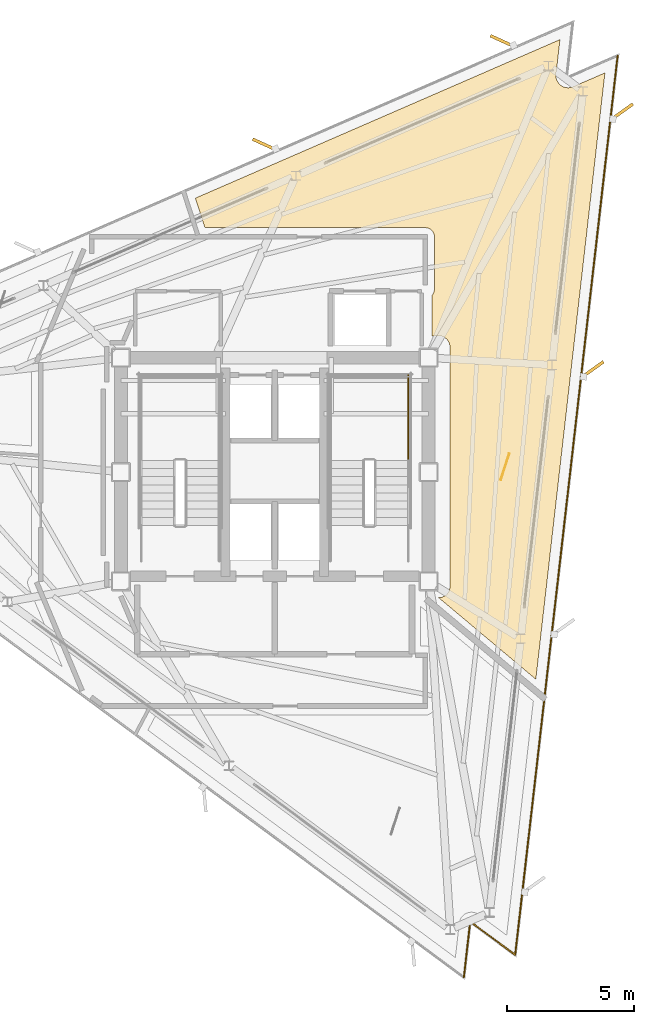
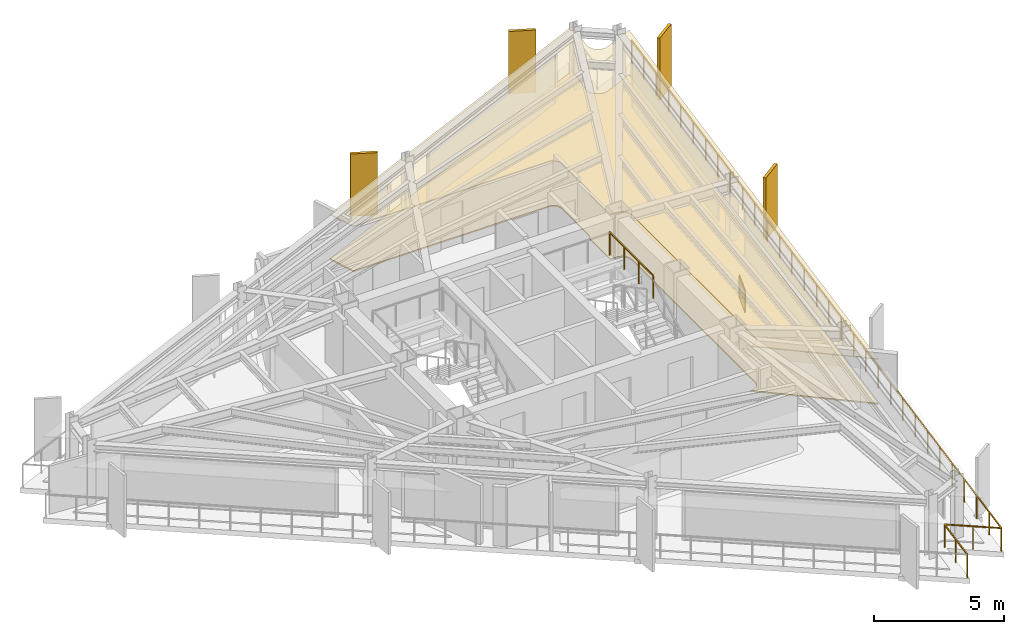
# One storey, part 9 of 9: 4 shading devices, 3 coverings, 2 railings.
"""IFC4 building model written with IfcOpenShell, lengths in metres."""

import ifcopenshell
import ifcopenshell.guid

model = None  # the IFC model being written
_history = None  # IfcOwnerHistory: only IFC2X3 demands one
_inside = {}  # id of a spatial element -> (the spatial element, [elements in it])
_under = {}  # id of a project, library or spatial element -> (it, [spatial elements below it])
_declared = {}  # id of a project -> (the project, [libraries it declares])
_typed = {}  # id of a type object -> (the type object, [elements of that type])
_made_of = {}  # id of a material, layer set ... -> (it, [elements and type objects made of it])


def new_model(schema):
    """Start an empty IFC model of exactly this schema.

    Asked for "IFC4X3", IfcOpenShell would pick the latest addendum, in which some entities
    have other attributes; the version numbers below select the first issue.
    IFC2X3 requires an IfcOwnerHistory on every rooted entity: one is made here for all.
    """
    global model, _history
    if schema == "IFC4X3":
        model = ifcopenshell.file(schema_version=(4, 3, 0, 0))
    else:
        model = ifcopenshell.file(schema=schema)
    _inside.clear()
    _under.clear()
    _declared.clear()
    _typed.clear()
    _made_of.clear()
    _history = None
    if model.schema == "IFC2X3":
        org = make("IfcOrganization", Name="unknown")
        user = make(
            "IfcPersonAndOrganization",
            ThePerson=make("IfcPerson", FamilyName="unknown"),
            TheOrganization=org,
        )
        app = make(
            "IfcApplication",
            ApplicationDeveloper=org,
            Version="unknown",
            ApplicationFullName="unknown",
            ApplicationIdentifier="unknown",
        )
        _history = make(
            "IfcOwnerHistory",
            OwningUser=user,
            OwningApplication=app,
            ChangeAction="ADDED",
            CreationDate=0,
        )
    return model


def make(cls, **values):
    """One entity of the class cls with the attributes given. An attribute that is None is left unset."""
    return model.create_entity(
        cls, **{name: value for name, value in values.items() if value is not None}
    )


def rooted(cls, **values):
    """An entity with a GlobalId (a new one), such as an element, a storey or a relation."""
    return make(cls, GlobalId=ifcopenshell.guid.new(), OwnerHistory=_history, **values)


def si_unit(unit_type, name, prefix=None):
    """IfcSIUnit, for example si_unit("LENGTHUNIT", "METRE", prefix="MILLI")."""
    return make("IfcSIUnit", UnitType=unit_type, Prefix=prefix, Name=name)


def assignment(units):
    """IfcUnitAssignment: the units of a project."""
    return None if units is None else make("IfcUnitAssignment", Units=units)


def point(xyz):
    """IfcCartesianPoint."""
    return None if xyz is None else make("IfcCartesianPoint", Coordinates=xyz)


def direction(xyz):
    """IfcDirection."""
    return None if xyz is None else make("IfcDirection", DirectionRatios=xyz)


def frame(location, z_axis=None, x_axis=None):
    """IfcAxis2Placement3D, a coordinate frame: its origin and axes. An axis left out is left unset."""
    return make(
        "IfcAxis2Placement3D",
        Location=point(location),
        Axis=direction(z_axis),
        RefDirection=direction(x_axis),
    )


def frame_2d(location, x_axis=None):
    """IfcAxis2Placement2D, a coordinate frame in the plane: its origin and x axis."""
    return make(
        "IfcAxis2Placement2D", Location=point(location), RefDirection=direction(x_axis)
    )


def origin():
    """The frame at (0, 0, 0) with its axes left unset."""
    return frame((0.0, 0.0, 0.0))


def origin_2d():
    """The frame at (0, 0) in the plane with its x axis left unset."""
    return frame_2d((0.0, 0.0))


def place(relative_to, where):
    """IfcLocalPlacement: puts the frame where relative to a parent placement (None: the world)."""
    return make(
        "IfcLocalPlacement", PlacementRelTo=relative_to, RelativePlacement=where
    )


def context(
    kind, dimensions, precision=None, world=None, true_north=None, identifier=None
):
    """IfcGeometricRepresentationContext, for example the 3D "Model" context."""
    return make(
        "IfcGeometricRepresentationContext",
        ContextIdentifier=identifier,
        ContextType=kind,
        CoordinateSpaceDimension=dimensions,
        Precision=precision,
        WorldCoordinateSystem=world,
        TrueNorth=true_north,
    )


def subcontext(parent, identifier, kind, view, scale=None):
    """IfcGeometricRepresentationSubContext, for example "Body" below "Model"."""
    return make(
        "IfcGeometricRepresentationSubContext",
        ContextIdentifier=identifier,
        ContextType=kind,
        ParentContext=parent,
        TargetScale=scale,
        TargetView=view,
    )


def project(units=None, contexts=None):
    """IfcProject with its units and contexts."""
    return rooted(
        "IfcProject",
        Name="project",
        RepresentationContexts=contexts,
        UnitsInContext=assignment(units),
    )


def spatial(cls, under=None, at=None, **own):
    """A site, building, storey or space (cls), placed at a placement, below another one or the project."""
    s = rooted(cls, ObjectPlacement=at, **own)
    if under is not None:
        _under.setdefault(under.id(), (under, []))[1].append(s)
    return s


def polyline(points):
    """IfcPolyline through the points."""
    return make("IfcPolyline", Points=[point(p) for p in points])


def profile(cls, at=None, kind="AREA", **sizes):
    """A parametric profile (cls). Its sizes go by their IFC names, for example OverallWidth=200.0."""
    return make(cls, ProfileType=kind, Position=at, **sizes)


def rectangle(**sizes):
    """IfcRectangleProfileDef."""
    return profile("IfcRectangleProfileDef", **sizes)


def outline(outer, holes=None, kind="AREA"):
    """IfcArbitraryClosedProfileDef: a profile drawn as a closed curve; with holes, ...WithVoids."""
    if holes is None:
        return make("IfcArbitraryClosedProfileDef", ProfileType=kind, OuterCurve=outer)
    return make(
        "IfcArbitraryProfileDefWithVoids",
        ProfileType=kind,
        OuterCurve=outer,
        InnerCurves=holes,
    )


def extrude(swept, where, along, depth):
    """IfcExtrudedAreaSolid: the profile swept, set in the frame where, extruded along a direction by depth."""
    return make(
        "IfcExtrudedAreaSolid",
        SweptArea=swept,
        Position=where,
        ExtrudedDirection=direction(along),
        Depth=depth,
    )


def shape(context_of_items, identifier, shape_type, items):
    """IfcShapeRepresentation: the items that make up one representation, for example the "Body"."""
    return make(
        "IfcShapeRepresentation",
        ContextOfItems=context_of_items,
        RepresentationIdentifier=identifier,
        RepresentationType=shape_type,
        Items=items,
    )


def material(Name=None, Category=None):
    """IfcMaterial."""
    return make("IfcMaterial", Name=Name, Category=Category)


def layer(
    of_material, thickness, ventilated=None, Name=None, Category=None, Priority=None
):
    """IfcMaterialLayer: one layer of a wall or slab, of a material (None: an air gap)."""
    return make(
        "IfcMaterialLayer",
        Material=of_material,
        LayerThickness=thickness,
        IsVentilated=ventilated,
        Name=Name,
        Category=Category,
        Priority=Priority,
    )


def layer_set(layers, Name=None):
    """IfcMaterialLayerSet."""
    return make("IfcMaterialLayerSet", MaterialLayers=layers, LayerSetName=Name)


def made_of(thing, what):
    """Note that an element or type object is made of a material, layer set ...; save() writes the relation."""
    if what is not None:
        _made_of.setdefault(what.id(), (what, []))[1].append(thing)
    return thing


def type_object(cls, material=None, **own):
    """A type object (cls), such as IfcWallType, which elements share."""
    return made_of(rooted(cls, **own), material)


def element(
    cls,
    number,
    at=None,
    inside=None,
    cuts=None,
    type_object=None,
    material=None,
    context=None,
    identifier="Body",
    shape_type=None,
    held_by="IfcProductDefinitionShape",
    body=None,
    shapes=None,
    **own,
):
    """One element of the class cls, such as IfcWall. Its Tag is "e" and its number.

    at: its placement. inside: the storey or other place that contains it. cuts: it is an
    opening in that element (IfcRelVoidsElement). A single representation is given by context,
    identifier, shape_type and body (its items); several are given by shapes. held_by: the class
    of the entity that holds the representations. save() writes the other relations.
    """
    e = rooted(cls, Tag="e%d" % number, ObjectPlacement=at, **own)
    if body is not None:
        shapes = [shape(context, identifier, shape_type, body)]
    if shapes is not None:
        e.Representation = make(held_by, Representations=shapes)
    if inside is not None:
        _inside.setdefault(inside.id(), (inside, []))[1].append(e)
    if cuts is not None:
        rooted(
            "IfcRelVoidsElement", RelatingBuildingElement=cuts, RelatedOpeningElement=e
        )
    if type_object is not None:
        _typed.setdefault(type_object.id(), (type_object, []))[1].append(e)
    return made_of(e, material)


def aggregate(whole, parts):
    """IfcRelAggregates: a whole, such as a stair, and the parts it consists of."""
    return rooted("IfcRelAggregates", RelatingObject=whole, RelatedObjects=parts)


def save(model, path):
    """Write the relations noted so far, then the file.

    IfcRelAggregates (storeys below a building ...), IfcRelContainedInSpatialStructure (elements
    in a storey), IfcRelDefinesByType, IfcRelAssociatesMaterial and IfcRelDeclares: one each for
    every whole, place, type object, material and project.
    """
    for whole, parts in _under.values():
        aggregate(whole, parts)
    for where, things in _inside.values():
        rooted(
            "IfcRelContainedInSpatialStructure",
            RelatedElements=things,
            RelatingStructure=where,
        )
    for kind, things in _typed.values():
        rooted("IfcRelDefinesByType", RelatedObjects=things, RelatingType=kind)
    for what, things in _made_of.values():
        rooted("IfcRelAssociatesMaterial", RelatedObjects=things, RelatingMaterial=what)
    for by, libraries in _declared.values():
        rooted("IfcRelDeclares", RelatingContext=by, RelatedDefinitions=libraries)
    model.write(path)


model = new_model("IFC4")

# Units and contexts
model_context = context("Model", 3, precision=1e-05, world=origin(), true_north=direction((0.0, 1.0)))
body_context = subcontext(model_context, "Body", "Model", "MODEL_VIEW")
ifc_project = project(units=[si_unit("LENGTHUNIT", "METRE"), si_unit("AREAUNIT", "SQUARE_METRE"), si_unit("VOLUMEUNIT", "CUBIC_METRE"), si_unit("PLANEANGLEUNIT", "RADIAN"), si_unit("MASSUNIT", "GRAM", prefix="KILO")], contexts=[model_context])

# Site, building, storey
site_placement = place(None, origin())
site = spatial("IfcSite", under=ifc_project, at=site_placement, CompositionType="ELEMENT")
building_placement = place(site_placement, origin())
building = spatial("IfcBuilding", under=site, at=building_placement, Name="Rocaltana Carrier Exchange", CompositionType="ELEMENT")
storey_placement = place(building_placement, frame((0.0, 0.0, 233.1201171875)))
storey = spatial("IfcBuildingStorey", under=building, at=storey_placement, Name="L74", CompositionType="ELEMENT", Elevation=233.1201171875)

# Coverings
ifc_material_1 = material(Name="Calcium Sulphate & Aluminium Pedestal", Category="aluminium")
ifc_layer_1 = layer(ifc_material_1, 0.06005859375)
ifc_layer_set_1 = layer_set([ifc_layer_1], Name="Calcium Sulphate & Aluminium Pedestal")
covering_type_1 = type_object("IfcCoveringType", Name="Anti-Static Raised Exchange Access Floor 60", PredefinedType="FLOORING", material=ifc_layer_set_1)
covering_1_placement = place(storey_placement, origin())
element("IfcCovering", 1, at=covering_1_placement, inside=storey, type_object=covering_type_1, Name="L74 Cloud Architecture Office Finish Floor", PredefinedType="FLOORING", context=body_context, shape_type="SweptSolid", body=[
    extrude(outline(polyline([(6.18994140625, 6.962158203125), (6.206787109375, 6.982421875), (6.21142578125, 6.98876953125), (6.226806640625, 7.01171875), (6.230712890625, 7.018310546875), (6.24365234375, 7.04248046875), (6.2470703125, 7.0498046875), (6.257568359375, 7.0751953125), (6.26025390625, 7.08251953125), (6.268310546875, 7.108642578125), (6.27001953125, 7.116455078125), (6.275390625, 7.143310546875), (6.276611328125, 7.151123046875), (6.279296875, 7.178466796875), (6.27978515625, 7.186279296875), (6.280029296875, 7.199951171875), (6.280029296875, 9.25), (6.27978515625, 9.263671875), (6.279296875, 9.271484375), (6.276611328125, 9.298828125), (6.275390625, 9.306640625), (6.27001953125, 9.33349609375), (6.268310546875, 9.34130859375), (6.26025390625, 9.36767578125), (6.257568359375, 9.375), (6.2470703125, 9.400390625), (6.24365234375, 9.407470703125), (6.230712890625, 9.431640625), (6.226806640625, 9.4384765625), (6.21142578125, 9.461181640625), (6.206787109375, 9.467529296875), (6.189208984375, 9.48876953125), (6.18408203125, 9.49462890625), (6.16455078125, 9.513916015625), (6.15869140625, 9.519287109375), (6.137451171875, 9.53662109375), (6.131103515625, 9.54150390625), (6.1083984375, 9.556640625), (6.101806640625, 9.560791015625), (6.077392578125, 9.57373046875), (6.0703125, 9.576904296875), (6.044921875, 9.58740234375), (6.03759765625, 9.590087890625), (6.01123046875, 9.59814453125), (6.003662109375, 9.60009765625), (5.976806640625, 9.60546875), (5.968994140625, 9.606689453125), (5.941650390625, 9.609375), (5.93359375, 9.609619140625), (5.919921875, 9.610107421875), (-2.743896484375, 9.610107421875), (-3.1220703125, 10.7734375), (11.217041015625, 17.00830078125), (11.06201171875, 15.648193359375), (11.060791015625, 15.634521484375), (11.0595703125, 15.614501953125), (11.05908203125, 15.586669921875), (11.059814453125, 15.566650390625), (11.062255859375, 15.538818359375), (11.06494140625, 15.51904296875), (11.070068359375, 15.49169921875), (11.07470703125, 15.472412109375), (11.08251953125, 15.445556640625), (11.089111328125, 15.4267578125), (11.099609375, 15.40087890625), (11.10791015625, 15.3828125), (11.12109375, 15.358154296875), (11.131103515625, 15.3408203125), (11.146484375, 15.317626953125), (11.158447265625, 15.301513671875), (11.176025390625, 15.27978515625), (11.189453125, 15.26513671875), (11.209228515625, 15.245361328125), (11.223876953125, 15.23193359375), (11.24560546875, 15.21435546875), (11.261474609375, 15.202392578125), (11.284912109375, 15.18701171875), (11.302001953125, 15.1767578125), (11.32666015625, 15.163818359375), (11.344482421875, 15.1552734375), (11.37060546875, 15.144775390625), (11.389404296875, 15.13818359375), (11.416015625, 15.130126953125), (11.435302734375, 15.12548828125), (11.462890625, 15.1201171875), (11.482666015625, 15.117431640625), (11.510498046875, 15.114990234375), (11.5302734375, 15.1142578125), (11.55810546875, 15.114501953125), (11.578125, 15.11572265625), (11.60595703125, 15.118896484375), (11.62548828125, 15.1220703125), (11.65283203125, 15.1279296875), (11.672119140625, 15.133056640625), (11.69873046875, 15.1416015625), (11.71728515625, 15.148681640625), (11.730224609375, 15.15380859375), (12.985595703125, 15.699462890625), (10.2685546875, -8.146484375), (6.447265625, -4.93994140625), (6.449951171875, -4.93994140625), (6.463623046875, -4.939697265625), (6.4794921875, -4.93896484375), (6.5068359375, -4.936279296875), (6.522216796875, -4.933837890625), (6.54931640625, -4.928466796875), (6.564453125, -4.9248046875), (6.5908203125, -4.916748046875), (6.605712890625, -4.91162109375), (6.630859375, -4.90087890625), (6.64501953125, -4.894287109375), (6.66943359375, -4.88134765625), (6.682861328125, -4.873291015625), (6.705810546875, -4.85791015625), (6.71826171875, -4.8486328125), (6.739501953125, -4.8310546875), (6.751220703125, -4.820556640625), (6.7705078125, -4.80126953125), (6.781005859375, -4.78955078125), (6.798583984375, -4.768310546875), (6.807861328125, -4.755615234375), (6.8232421875, -4.73291015625), (6.831298828125, -4.719482421875), (6.84423828125, -4.695068359375), (6.850830078125, -4.680908203125), (6.861572265625, -4.655517578125), (6.86669921875, -4.640869140625), (6.874755859375, -4.614501953125), (6.87841796875, -4.59912109375), (6.8837890625, -4.572265625), (6.88623046875, -4.556884765625), (6.888916015625, -4.529296875), (6.8896484375, -4.513671875), (6.889892578125, -4.5), (6.889892578125, 4.919921875), (6.8896484375, 4.93359375), (6.888916015625, 4.949462890625), (6.88623046875, 4.976806640625), (6.8837890625, 4.9921875), (6.87841796875, 5.019287109375), (6.874755859375, 5.034423828125), (6.86669921875, 5.060791015625), (6.861572265625, 5.07568359375), (6.850830078125, 5.100830078125), (6.84423828125, 5.114990234375), (6.831298828125, 5.139404296875), (6.8232421875, 5.15283203125), (6.807861328125, 5.17578125), (6.798583984375, 5.188232421875), (6.781005859375, 5.20947265625), (6.7705078125, 5.22119140625), (6.751220703125, 5.240478515625), (6.739501953125, 5.251220703125), (6.71826171875, 5.2685546875), (6.705810546875, 5.27783203125), (6.682861328125, 5.293212890625), (6.66943359375, 5.30126953125), (6.64501953125, 5.314208984375), (6.630859375, 5.32080078125), (6.605712890625, 5.33154296875), (6.5908203125, 5.336669921875), (6.564453125, 5.3447265625), (6.54931640625, 5.348388671875), (6.522216796875, 5.35400390625), (6.5068359375, 5.356201171875), (6.4794921875, 5.35888671875), (6.463623046875, 5.359619140625), (6.449951171875, 5.360107421875), (6.18994140625, 5.360107421875), (6.18994140625, 6.962158203125)])), origin(), (0.0, 0.0, 1.0), 0.059814453125),
])
ifc_material_2 = material(Name="Mineral Fibre & Powder-Coated Aluminium", Category="aluminium")
ifc_layer_2 = layer(ifc_material_2, 0.044921875)
ifc_layer_set_2 = layer_set([ifc_layer_2], Name="Mineral Fibre & Powder-Coated Aluminium")
covering_type_2 = type_object("IfcCoveringType", Name="Micro-Perforated Acoustic Ceiling 45", PredefinedType="CEILING", material=ifc_layer_set_2)
covering_2_placement = place(storey_placement, frame((0.0, 0.0, 2.102783203125)))
element("IfcCovering", 2, at=covering_2_placement, inside=storey, type_object=covering_type_2, Name="L74 Cloud Architecture Office Acoustic Ceiling", PredefinedType="CEILING", context=body_context, shape_type="SweptSolid", body=[
    extrude(outline(polyline([(6.18994140625, 6.962158203125), (6.206787109375, 6.982421875), (6.21142578125, 6.98876953125), (6.226806640625, 7.01171875), (6.230712890625, 7.018310546875), (6.24365234375, 7.04248046875), (6.2470703125, 7.0498046875), (6.257568359375, 7.0751953125), (6.26025390625, 7.08251953125), (6.268310546875, 7.108642578125), (6.27001953125, 7.116455078125), (6.275390625, 7.143310546875), (6.276611328125, 7.151123046875), (6.279296875, 7.178466796875), (6.27978515625, 7.186279296875), (6.280029296875, 7.199951171875), (6.280029296875, 9.25), (6.27978515625, 9.263671875), (6.279296875, 9.271484375), (6.276611328125, 9.298828125), (6.275390625, 9.306640625), (6.27001953125, 9.33349609375), (6.268310546875, 9.34130859375), (6.26025390625, 9.36767578125), (6.257568359375, 9.375), (6.2470703125, 9.400390625), (6.24365234375, 9.407470703125), (6.230712890625, 9.431640625), (6.226806640625, 9.4384765625), (6.21142578125, 9.461181640625), (6.206787109375, 9.467529296875), (6.189208984375, 9.48876953125), (6.18408203125, 9.49462890625), (6.16455078125, 9.513916015625), (6.15869140625, 9.519287109375), (6.137451171875, 9.53662109375), (6.131103515625, 9.54150390625), (6.1083984375, 9.556640625), (6.101806640625, 9.560791015625), (6.077392578125, 9.57373046875), (6.0703125, 9.576904296875), (6.044921875, 9.58740234375), (6.03759765625, 9.590087890625), (6.01123046875, 9.59814453125), (6.003662109375, 9.60009765625), (5.976806640625, 9.60546875), (5.968994140625, 9.606689453125), (5.941650390625, 9.609375), (5.93359375, 9.609619140625), (5.919921875, 9.610107421875), (-2.743896484375, 9.610107421875), (-3.1220703125, 10.7734375), (11.217041015625, 17.00830078125), (11.06201171875, 15.648193359375), (11.060791015625, 15.634521484375), (11.0595703125, 15.614501953125), (11.05908203125, 15.586669921875), (11.059814453125, 15.566650390625), (11.062255859375, 15.538818359375), (11.06494140625, 15.51904296875), (11.070068359375, 15.49169921875), (11.07470703125, 15.472412109375), (11.08251953125, 15.445556640625), (11.089111328125, 15.4267578125), (11.099609375, 15.40087890625), (11.10791015625, 15.3828125), (11.12109375, 15.358154296875), (11.131103515625, 15.3408203125), (11.146484375, 15.317626953125), (11.158447265625, 15.301513671875), (11.176025390625, 15.27978515625), (11.189453125, 15.26513671875), (11.209228515625, 15.245361328125), (11.223876953125, 15.23193359375), (11.24560546875, 15.21435546875), (11.261474609375, 15.202392578125), (11.284912109375, 15.18701171875), (11.302001953125, 15.1767578125), (11.32666015625, 15.163818359375), (11.344482421875, 15.1552734375), (11.37060546875, 15.144775390625), (11.389404296875, 15.13818359375), (11.416015625, 15.130126953125), (11.435302734375, 15.12548828125), (11.462890625, 15.1201171875), (11.482666015625, 15.117431640625), (11.510498046875, 15.114990234375), (11.5302734375, 15.1142578125), (11.55810546875, 15.114501953125), (11.578125, 15.11572265625), (11.60595703125, 15.118896484375), (11.62548828125, 15.1220703125), (11.65283203125, 15.1279296875), (11.672119140625, 15.133056640625), (11.69873046875, 15.1416015625), (11.71728515625, 15.148681640625), (11.730224609375, 15.15380859375), (12.985595703125, 15.699462890625), (10.2685546875, -8.146484375), (6.447265625, -4.93994140625), (6.449951171875, -4.93994140625), (6.463623046875, -4.939697265625), (6.4794921875, -4.93896484375), (6.5068359375, -4.936279296875), (6.522216796875, -4.933837890625), (6.54931640625, -4.928466796875), (6.564453125, -4.9248046875), (6.5908203125, -4.916748046875), (6.605712890625, -4.91162109375), (6.630859375, -4.90087890625), (6.64501953125, -4.894287109375), (6.66943359375, -4.88134765625), (6.682861328125, -4.873291015625), (6.705810546875, -4.85791015625), (6.71826171875, -4.8486328125), (6.739501953125, -4.8310546875), (6.751220703125, -4.820556640625), (6.7705078125, -4.80126953125), (6.781005859375, -4.78955078125), (6.798583984375, -4.768310546875), (6.807861328125, -4.755615234375), (6.8232421875, -4.73291015625), (6.831298828125, -4.719482421875), (6.84423828125, -4.695068359375), (6.850830078125, -4.680908203125), (6.861572265625, -4.655517578125), (6.86669921875, -4.640869140625), (6.874755859375, -4.614501953125), (6.87841796875, -4.59912109375), (6.8837890625, -4.572265625), (6.88623046875, -4.556884765625), (6.888916015625, -4.529296875), (6.8896484375, -4.513671875), (6.889892578125, -4.5), (6.889892578125, 4.919921875), (6.8896484375, 4.93359375), (6.888916015625, 4.949462890625), (6.88623046875, 4.976806640625), (6.8837890625, 4.9921875), (6.87841796875, 5.019287109375), (6.874755859375, 5.034423828125), (6.86669921875, 5.060791015625), (6.861572265625, 5.07568359375), (6.850830078125, 5.100830078125), (6.84423828125, 5.114990234375), (6.831298828125, 5.139404296875), (6.8232421875, 5.15283203125), (6.807861328125, 5.17578125), (6.798583984375, 5.188232421875), (6.781005859375, 5.20947265625), (6.7705078125, 5.22119140625), (6.751220703125, 5.240478515625), (6.739501953125, 5.251220703125), (6.71826171875, 5.2685546875), (6.705810546875, 5.27783203125), (6.682861328125, 5.293212890625), (6.66943359375, 5.30126953125), (6.64501953125, 5.314208984375), (6.630859375, 5.32080078125), (6.605712890625, 5.33154296875), (6.5908203125, 5.336669921875), (6.564453125, 5.3447265625), (6.54931640625, 5.348388671875), (6.522216796875, 5.35400390625), (6.5068359375, 5.356201171875), (6.4794921875, 5.35888671875), (6.463623046875, 5.359619140625), (6.449951171875, 5.360107421875), (6.18994140625, 5.360107421875), (6.18994140625, 6.962158203125)])), origin(), (0.0, 0.0, 1.0), 0.045166015625),
])

# Railing
ifc_material_3 = material(Name="Powder-Coated Aluminium 6063-T6", Category="aluminium")
ifc_layer_3 = layer(ifc_material_3, 0.048095703125)
ifc_layer_set_3 = layer_set([ifc_layer_3], Name="Powder-Coated Aluminium 6063-T6")
railing_type_1 = type_object("IfcRailingType", Name="Stair Well Guardrail 1100", PredefinedType="GUARDRAIL", material=ifc_layer_set_3)
railing_1_placement = place(storey_placement, frame((5.25, 0.4599609375, 1.519775390625)))
element("IfcRailing", 3, at=railing_1_placement, inside=storey, type_object=railing_type_1, Name="L74 ST-2 stair guard 3", PredefinedType="GUARDRAIL", context=body_context, shape_type="SweptSolid", body=[
    extrude(rectangle(XDim=0.048095703125, YDim=0.048095703125, at=origin_2d()), frame((0.0, 0.0, 1.076171875), z_axis=(0.0, 1.0, 0.0), x_axis=(-1.0, 0.0, 0.0)), (0.0, 0.0, 1.0), 3.340087890625),
    extrude(rectangle(XDim=0.0419921875, YDim=0.0419921875, at=origin_2d()), origin(), (0.0, 0.0, 1.0), 1.052001953125),
    extrude(rectangle(XDim=0.0419921875, YDim=0.0419921875, at=origin_2d()), frame((0.0, 1.11328125, 0.0)), (0.0, 0.0, 1.0), 1.052001953125),
    extrude(rectangle(XDim=0.0419921875, YDim=0.0419921875, at=origin_2d()), frame((0.0, 2.226806640625, 0.0)), (0.0, 0.0, 1.0), 1.052001953125),
    extrude(rectangle(XDim=0.0419921875, YDim=0.0419921875, at=origin_2d()), frame((0.0, 3.340087890625, 0.0)), (0.0, 0.0, 1.0), 1.052001953125),
])

# Covering
ifc_material_4 = material(Name="Honed Piedra Muneca Sandstone", Category="masonry")
ifc_layer_4 = layer(ifc_material_4, 0.034912109375)
ifc_layer_set_4 = layer_set([ifc_layer_4], Name="Honed Piedra Muneca Sandstone")
covering_type_3 = type_object("IfcCoveringType", Name="Stone Facade Cladding 35", PredefinedType="CLADDING", material=ifc_layer_set_4)
covering_3_placement = place(storey_placement, frame((9.055419921875, 0.2099609375, 0.0), z_axis=(0.0, 0.0, 1.0), x_axis=(0.309016994375, 0.951056516295, 0.0)))
element("IfcCovering", 4, at=covering_3_placement, inside=storey, type_object=covering_type_3, Name="L74 Stone Facade Cladding Panel 3", PredefinedType="CLADDING", context=body_context, shape_type="SweptSolid", body=[
    extrude(rectangle(XDim=1.10009765625, YDim=0.034912109375, at=origin_2d()), origin(), (0.0, 0.0, 1.0), 1.050048828125),
])

# Shading devices
ifc_material_5 = material(Name="Honed Bogota Sandstone & Concrete C45/55", Category="masonry")
ifc_layer_5 = layer(ifc_material_5, 0.1201171875)
ifc_layer_set_5 = layer_set([ifc_layer_5], Name="Honed Bogota Sandstone & Concrete C45/55")
shading_device_type = type_object("IfcShadingDeviceType", Name="Upper Sandstone Shading Fin 1050x120", PredefinedType="USERDEFINED", material=ifc_layer_set_5)
for number, where, z_axis, x_axis, name in (
    (5, (12.502197265625, 4.03515625, -0.1201171875), (0.0, 0.0, 1.0), (0.814115518356, 0.580702955711, 0.0), "L74 Sandstone Vertical Fin F1-03"),
    (6, (13.656982421875, 14.169677734375, -0.1201171875), (0.0, 0.0, 1.0), (0.814115518356, 0.580702955711, 0.0), "L74 Sandstone Vertical Fin F1-04"),
    (7, (8.96240234375, 16.944091796875, -0.1201171875), (0.0, 0.0, 1.0), (-0.909961270877, 0.414693242656, 0.0), "L74 Sandstone Vertical Fin F2-01"),
    (8, (-0.3916015625, 12.876953125, -0.1201171875), (0.0, 0.0, 1.0), (-0.909961270877, 0.414693242656, 0.0), "L74 Sandstone Vertical Fin F2-02"),
):
    element("IfcShadingDevice", number, at=place(storey_placement, frame(where, z_axis=z_axis, x_axis=x_axis)), inside=storey, type_object=shading_device_type, Name=name, ObjectType="FIN", PredefinedType="USERDEFINED", context=body_context, shape_type="SweptSolid", body=[
        extrude(rectangle(XDim=1.050048828125, YDim=0.1201171875, at=origin_2d()), origin(), (0.0, 0.0, 1.0), 2.91796875),
    ])

# Railing
ifc_material_6 = material(Name="Powder-Coated Aluminium 6063-T6", Category="aluminium")
ifc_layer_6 = layer(ifc_material_6, 0.06005859375)
ifc_layer_set_6 = layer_set([ifc_layer_6], Name="Powder-Coated Aluminium 6063-T6")
railing_type_2 = type_object("IfcRailingType", Name="Wind-Floor & Terrace Perimeter Guardrail 1100", PredefinedType="GUARDRAIL", material=ifc_layer_set_6)
railing_2_placement = place(storey_placement, frame((13.485107421875, 16.374755859375, 0.0)))
element("IfcRailing", 9, at=railing_2_placement, inside=storey, type_object=railing_type_2, Name="L74 Perimeter Balcony Guardrail 3", PredefinedType="GUARDRAIL", context=body_context, shape_type="SweptSolid", body=[
    extrude(rectangle(XDim=0.048095703125, YDim=0.048095703125, at=origin_2d()), frame((0.0, 0.0, 1.076171875), z_axis=(-0.113200877656, -0.99357212184, 0.0), x_axis=(0.99357212184, -0.113200877656, 0.0)), (0.0, 0.0, 1.0), 35.592041015625),
    extrude(rectangle(XDim=0.048095703125, YDim=0.048095703125, at=origin_2d()), frame((-4.029052734375, -35.36328125, 1.076171875), z_axis=(-0.803871612758, 0.59480284986, 0.0), x_axis=(-0.59480284986, -0.803871612758, 0.0)), (0.0, 0.0, 1.0), 2.199951171875),
    extrude(rectangle(XDim=0.048095703125, YDim=0.048095703125, at=origin_2d()), frame((-5.797607421875, -34.0546875, 1.076171875), z_axis=(-0.113183557839, -0.99357409499, 0.0), x_axis=(0.99357409499, -0.113183557839, 0.0)), (0.0, 0.0, 1.0), 2.2001953125),
    extrude(rectangle(XDim=0.0419921875, YDim=0.0419921875, at=origin_2d()), origin(), (0.0, 0.0, 1.0), 1.052001953125),
    extrude(rectangle(XDim=0.0419921875, YDim=0.0419921875, at=origin_2d()), frame((-0.13427734375, -1.1787109375, 0.0)), (0.0, 0.0, 1.0), 1.052001953125),
    extrude(rectangle(XDim=0.0419921875, YDim=0.0419921875, at=origin_2d()), frame((-0.2685546875, -2.357666015625, 0.0)), (0.0, 0.0, 1.0), 1.052001953125),
    extrude(rectangle(XDim=0.0419921875, YDim=0.0419921875, at=origin_2d()), frame((-0.40283203125, -3.536376953125, 0.0)), (0.0, 0.0, 1.0), 1.052001953125),
    extrude(rectangle(XDim=0.0419921875, YDim=0.0419921875, at=origin_2d()), frame((-0.537109375, -4.715087890625, 0.0)), (0.0, 0.0, 1.0), 1.052001953125),
    extrude(rectangle(XDim=0.0419921875, YDim=0.0419921875, at=origin_2d()), frame((-0.67138671875, -5.893798828125, 0.0)), (0.0, 0.0, 1.0), 1.052001953125),
    extrude(rectangle(XDim=0.0419921875, YDim=0.0419921875, at=origin_2d()), frame((-0.805908203125, -7.07275390625, 0.0)), (0.0, 0.0, 1.0), 1.052001953125),
    extrude(rectangle(XDim=0.0419921875, YDim=0.0419921875, at=origin_2d()), frame((-0.940185546875, -8.25146484375, 0.0)), (0.0, 0.0, 1.0), 1.052001953125),
    extrude(rectangle(XDim=0.0419921875, YDim=0.0419921875, at=origin_2d()), frame((-1.074462890625, -9.43017578125, 0.0)), (0.0, 0.0, 1.0), 1.052001953125),
    extrude(rectangle(XDim=0.0419921875, YDim=0.0419921875, at=origin_2d()), frame((-1.208740234375, -10.60888671875, 0.0)), (0.0, 0.0, 1.0), 1.052001953125),
    extrude(rectangle(XDim=0.0419921875, YDim=0.0419921875, at=origin_2d()), frame((-1.343017578125, -11.787841796875, 0.0)), (0.0, 0.0, 1.0), 1.052001953125),
    extrude(rectangle(XDim=0.0419921875, YDim=0.0419921875, at=origin_2d()), frame((-1.477294921875, -12.966552734375, 0.0)), (0.0, 0.0, 1.0), 1.052001953125),
    extrude(rectangle(XDim=0.0419921875, YDim=0.0419921875, at=origin_2d()), frame((-1.611572265625, -14.145263671875, 0.0)), (0.0, 0.0, 1.0), 1.052001953125),
    extrude(rectangle(XDim=0.0419921875, YDim=0.0419921875, at=origin_2d()), frame((-1.745849609375, -15.323974609375, 0.0)), (0.0, 0.0, 1.0), 1.052001953125),
    extrude(rectangle(XDim=0.0419921875, YDim=0.0419921875, at=origin_2d()), frame((-1.880126953125, -16.5029296875, 0.0)), (0.0, 0.0, 1.0), 1.052001953125),
    extrude(rectangle(XDim=0.0419921875, YDim=0.0419921875, at=origin_2d()), frame((-2.0146484375, -17.681640625, 0.0)), (0.0, 0.0, 1.0), 1.052001953125),
    extrude(rectangle(XDim=0.0419921875, YDim=0.0419921875, at=origin_2d()), frame((-2.14892578125, -18.8603515625, 0.0)), (0.0, 0.0, 1.0), 1.052001953125),
    extrude(rectangle(XDim=0.0419921875, YDim=0.0419921875, at=origin_2d()), frame((-2.283203125, -20.039306640625, 0.0)), (0.0, 0.0, 1.0), 1.052001953125),
    extrude(rectangle(XDim=0.0419921875, YDim=0.0419921875, at=origin_2d()), frame((-2.41748046875, -21.218017578125, 0.0)), (0.0, 0.0, 1.0), 1.052001953125),
    extrude(rectangle(XDim=0.0419921875, YDim=0.0419921875, at=origin_2d()), frame((-2.5517578125, -22.396728515625, 0.0)), (0.0, 0.0, 1.0), 1.052001953125),
    extrude(rectangle(XDim=0.0419921875, YDim=0.0419921875, at=origin_2d()), frame((-2.68603515625, -23.575439453125, 0.0)), (0.0, 0.0, 1.0), 1.052001953125),
    extrude(rectangle(XDim=0.0419921875, YDim=0.0419921875, at=origin_2d()), frame((-2.8203125, -24.75439453125, 0.0)), (0.0, 0.0, 1.0), 1.052001953125),
    extrude(rectangle(XDim=0.0419921875, YDim=0.0419921875, at=origin_2d()), frame((-2.95458984375, -25.93310546875, 0.0)), (0.0, 0.0, 1.0), 1.052001953125),
    extrude(rectangle(XDim=0.0419921875, YDim=0.0419921875, at=origin_2d()), frame((-3.0888671875, -27.11181640625, 0.0)), (0.0, 0.0, 1.0), 1.052001953125),
    extrude(rectangle(XDim=0.0419921875, YDim=0.0419921875, at=origin_2d()), frame((-3.22314453125, -28.29052734375, 0.0)), (0.0, 0.0, 1.0), 1.052001953125),
    extrude(rectangle(XDim=0.0419921875, YDim=0.0419921875, at=origin_2d()), frame((-3.357421875, -29.469482421875, 0.0)), (0.0, 0.0, 1.0), 1.052001953125),
    extrude(rectangle(XDim=0.0419921875, YDim=0.0419921875, at=origin_2d()), frame((-3.491943359375, -30.648193359375, 0.0)), (0.0, 0.0, 1.0), 1.052001953125),
    extrude(rectangle(XDim=0.0419921875, YDim=0.0419921875, at=origin_2d()), frame((-3.626220703125, -31.826904296875, 0.0)), (0.0, 0.0, 1.0), 1.052001953125),
    extrude(rectangle(XDim=0.0419921875, YDim=0.0419921875, at=origin_2d()), frame((-3.760498046875, -33.005615234375, 0.0)), (0.0, 0.0, 1.0), 1.052001953125),
    extrude(rectangle(XDim=0.0419921875, YDim=0.0419921875, at=origin_2d()), frame((-3.894775390625, -34.1845703125, 0.0)), (0.0, 0.0, 1.0), 1.052001953125),
    extrude(rectangle(XDim=0.0419921875, YDim=0.0419921875, at=origin_2d()), frame((-4.029052734375, -35.36328125, 0.0)), (0.0, 0.0, 1.0), 1.052001953125),
    extrude(rectangle(XDim=0.0419921875, YDim=0.0419921875, at=origin_2d()), frame((-4.913330078125, -34.708984375, 0.0)), (0.0, 0.0, 1.0), 1.052001953125),
    extrude(rectangle(XDim=0.0419921875, YDim=0.0419921875, at=origin_2d()), frame((-5.797607421875, -34.0546875, 0.0)), (0.0, 0.0, 1.0), 1.052001953125),
    extrude(rectangle(XDim=0.0419921875, YDim=0.0419921875, at=origin_2d()), frame((-5.922119140625, -35.147705078125, 0.0)), (0.0, 0.0, 1.0), 1.052001953125),
    extrude(rectangle(XDim=0.0419921875, YDim=0.0419921875, at=origin_2d()), frame((-6.046630859375, -36.24072265625, 0.0)), (0.0, 0.0, 1.0), 1.052001953125),
])

save(model, "model.ifc")
